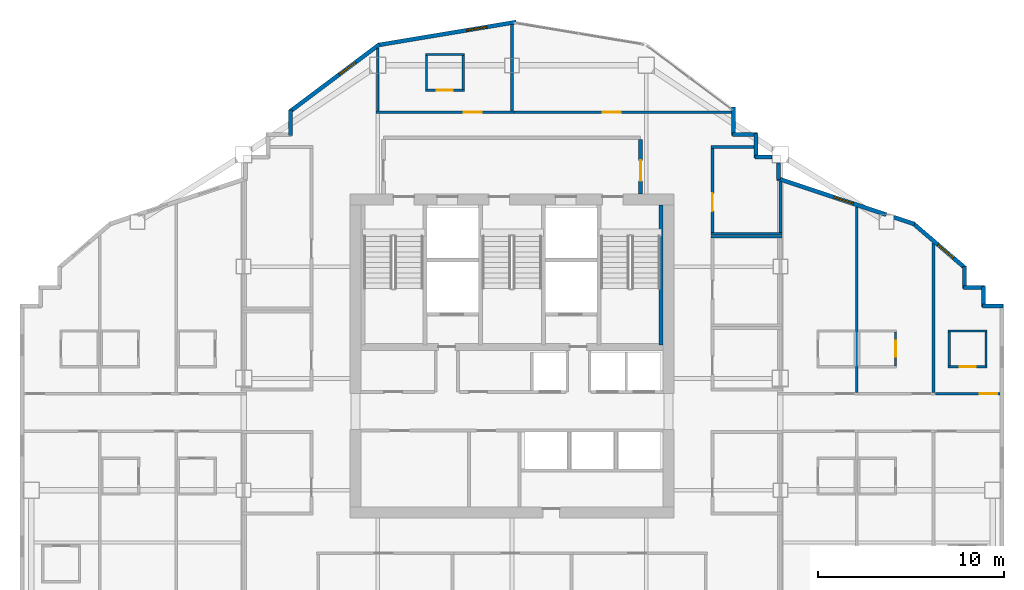
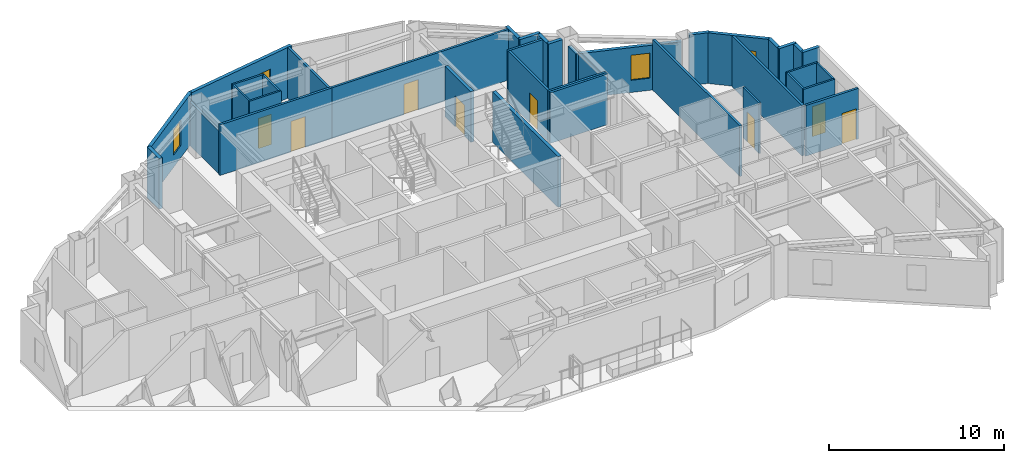
# One storey, part 9 of 11: 38 walls, 8 doors, 4 windows, 12 openings.
"""IFC4 building model written with IfcOpenShell, lengths in metres."""

from ifc_helpers import new_model, si_unit, direction, frame, frame_2d, origin, place, context, subcontext, project, spatial, rectangle, extrude, material, layer, layer_set, type_object, element, fill, save


model = new_model("IFC4")

# Units and contexts
model_context = context("Model", 3, precision=1e-05, world=origin(), true_north=direction((0.0, 1.0)))
body_context = subcontext(model_context, "Body", "Model", "MODEL_VIEW")
ifc_project = project(units=[si_unit("LENGTHUNIT", "METRE"), si_unit("AREAUNIT", "SQUARE_METRE"), si_unit("VOLUMEUNIT", "CUBIC_METRE"), si_unit("PLANEANGLEUNIT", "RADIAN"), si_unit("MASSUNIT", "GRAM", prefix="KILO")], contexts=[model_context])

# Site, building, storey
site_placement = place(None, origin())
site = spatial("IfcSite", under=ifc_project, at=site_placement, CompositionType="ELEMENT")
building_placement = place(site_placement, origin())
building = spatial("IfcBuilding", under=site, at=building_placement, Name="Haolan Belvedere Tower", CompositionType="ELEMENT")
storey_placement = place(building_placement, frame((0.0, 0.0, 226.800048828125)))
storey = spatial("IfcBuildingStorey", under=building, at=storey_placement, Name="L57", CompositionType="ELEMENT", Elevation=226.800048828125)

# Walls
ifc_material_1 = material(Name="Precast concrete C40/50", Category="concrete")
ifc_layer_1 = layer(ifc_material_1, 0.219970703125, Name="Precast concrete C40/50")
ifc_layer_set_1 = layer_set([ifc_layer_1], Name="Precast concrete C40/50")
wall_type_1 = type_object("IfcWallType", Name="WL-EXT-220", PredefinedType="SOLIDWALL", material=ifc_layer_set_1)
wall_1_placement = place(storey_placement, frame((64.7451171875, 37.489990234375, 0.0), z_axis=(0.0, 0.0, 1.0), x_axis=(-1.0, 0.0, 0.0)))
element("IfcWall", 1, at=wall_1_placement, inside=storey, type_object=wall_type_1, Name="L57 pale-metal exterior spandrel wall 9.1", PredefinedType="SOLIDWALL", context=body_context, shape_type="SweptSolid", body=[
    extrude(rectangle(XDim=1.110107421875, YDim=0.219970703125, at=frame_2d((0.55517578125, 0.0))), origin(), (0.0, 0.0, 1.0), 3.5400390625),
])
wall_2_placement = place(storey_placement, frame((63.68994140625, 37.43505859375, 0.0), z_axis=(0.0, 0.0, 1.0), x_axis=(0.0, 1.0, 0.0)))
element("IfcWall", 2, at=wall_2_placement, inside=storey, type_object=wall_type_1, Name="L57 pale-metal exterior spandrel wall 10.1", PredefinedType="SOLIDWALL", context=body_context, shape_type="SweptSolid", body=[
    extrude(rectangle(XDim=1.10986328125, YDim=0.219970703125, at=frame_2d((0.554931640625, 0.0))), origin(), (0.0, 0.0, 1.0), 3.5400390625),
])
wall_3_placement = place(storey_placement, frame((63.7451171875, 38.489990234375, 0.0), z_axis=(0.0, 0.0, 1.0), x_axis=(-1.0, 0.0, 0.0)))
element("IfcWall", 3, at=wall_3_placement, inside=storey, type_object=wall_type_1, Name="L57 pale-metal exterior spandrel wall 11.1", PredefinedType="SOLIDWALL", context=body_context, shape_type="SweptSolid", body=[
    extrude(rectangle(XDim=1.110107421875, YDim=0.219970703125, at=frame_2d((0.55517578125, 0.0))), origin(), (0.0, 0.0, 1.0), 3.5400390625),
])
wall_4_placement = place(storey_placement, frame((62.68994140625, 38.43505859375, 0.0), z_axis=(0.0, 0.0, 1.0), x_axis=(0.0, 1.0, 0.0)))
element("IfcWall", 4, at=wall_4_placement, inside=storey, type_object=wall_type_1, Name="L57 pale-metal exterior spandrel wall 12.1", PredefinedType="SOLIDWALL", context=body_context, shape_type="SweptSolid", body=[
    extrude(rectangle(XDim=1.16943359375, YDim=0.219970703125, at=frame_2d((0.584716796875, 0.0))), origin(), (0.0, 0.0, 1.0), 3.5400390625),
])

# Wall, opening, window
wall_5_placement = place(storey_placement, frame((62.731689453125, 39.513671875, 0.0), z_axis=(0.0, 0.0, 1.0), x_axis=(-0.759251976569, 0.65079677018, 0.0)))
wall_5 = element("IfcWall", 5, at=wall_5_placement, inside=storey, type_object=wall_type_1, Name="L57 pale-metal exterior spandrel wall 13.1", PredefinedType="SOLIDWALL", context=body_context, shape_type="SweptSolid", body=[
    extrude(rectangle(XDim=3.7255859375, YDim=0.219970703125, at=frame_2d((1.86279296875, 0.0))), origin(), (0.0, 0.0, 1.0), 3.5400390625),
])
opening_1_placement = place(wall_5_placement, frame((0.84521484375, 0.0, 0.85009765625)))
opening_1 = element("IfcOpeningElement", 6, at=opening_1_placement, cuts=wall_5, Name="Opening W-03", PredefinedType="OPENING", context=body_context, shape_type="SweptSolid", body=[
    extrude(rectangle(XDim=1.10009765625, YDim=1.75, at=frame_2d((0.550048828125, 0.875))), frame((0.0, 0.119873046875, 0.0), z_axis=(0.0, -1.0, 0.0), x_axis=(1.0, 0.0, 0.0)), (0.0, 0.0, 1.0), 0.239990234375),
])
ifc_material_2 = material(Name="Anodised aluminium 6063-T6 and Low-E glass", Category="aluminium")
window_type = type_object("IfcWindowType", Name="WN-DECO-Z3", PartitioningType="SINGLE_PANEL", PredefinedType="WINDOW", material=ifc_material_2)
window_1_placement = place(opening_1_placement, origin())
window_1 = element("IfcWindow", 7, at=window_1_placement, inside=storey, type_object=window_type, Name="L57 Art Deco chevron window 1", OverallHeight=1.75, OverallWidth=1.10009765625, PartitioningType="SINGLE_PANEL", PredefinedType="WINDOW", context=body_context, shape_type="SweptSolid", body=[
    extrude(rectangle(XDim=1.10009765625, YDim=1.75, at=frame_2d((0.550048828125, 0.875))), frame((0.0, 0.030029296875, 0.0), z_axis=(0.0, -1.0, 0.0), x_axis=(1.0, 0.0, 0.0)), (0.0, 0.0, 1.0), 0.06005859375),
])
fill(opening_1, window_1)

# Wall
wall_6_placement = place(storey_placement, frame((59.9970703125, 41.885009765625, 0.0), z_axis=(0.0, 0.0, 1.0), x_axis=(-0.948662335685, 0.316290646166, 0.0)))
element("IfcWall", 8, at=wall_6_placement, inside=storey, type_object=wall_type_1, Name="L57 pale-metal exterior spandrel wall 14.1", PredefinedType="SOLIDWALL", context=body_context, shape_type="SweptSolid", body=[
    extrude(rectangle(XDim=1.164794921875, YDim=0.219970703125, at=frame_2d((0.58251953125, 0.0))), origin(), (0.0, 0.0, 1.0), 3.5400390625),
])

# Wall, opening, window
wall_7_placement = place(storey_placement, frame((58.476318359375, 42.39208984375, 0.0), z_axis=(0.0, 0.0, 1.0), x_axis=(-0.948691231611, 0.316203964339, 0.0)))
wall_7 = element("IfcWall", 9, at=wall_7_placement, inside=storey, type_object=wall_type_1, Name="L57 pale-metal exterior spandrel wall 14.2", PredefinedType="SOLIDWALL", context=body_context, shape_type="SweptSolid", body=[
    extrude(rectangle(XDim=6.154296875, YDim=0.219970703125, at=frame_2d((3.0771484375, 0.0))), origin(), (0.0, 0.0, 1.0), 3.135009765625),
])
opening_2_placement = place(wall_7_placement, frame((1.862548828125, 0.0, 0.85009765625)))
opening_2 = element("IfcOpeningElement", 10, at=opening_2_placement, cuts=wall_7, Name="Opening W-03", PredefinedType="OPENING", context=body_context, shape_type="SweptSolid", body=[
    extrude(rectangle(XDim=1.10009765625, YDim=1.75, at=frame_2d((0.550048828125, 0.875))), frame((0.0, 0.119873046875, 0.0), z_axis=(0.0, -1.0, 0.0), x_axis=(1.0, 0.0, 0.0)), (0.0, 0.0, 1.0), 0.239990234375),
])
window_2_placement = place(opening_2_placement, origin())
window_2 = element("IfcWindow", 11, at=window_2_placement, inside=storey, type_object=window_type, Name="L57 Art Deco chevron window 1", OverallHeight=1.75, OverallWidth=1.10009765625, PartitioningType="SINGLE_PANEL", PredefinedType="WINDOW", context=body_context, shape_type="SweptSolid", body=[
    extrude(rectangle(XDim=1.10009765625, YDim=1.75, at=frame_2d((0.550048828125, 0.875))), frame((0.0, 0.030029296875, 0.0), z_axis=(0.0, -1.0, 0.0), x_axis=(1.0, 0.0, 0.0)), (0.0, 0.0, 1.0), 0.06005859375),
])
fill(opening_2, window_2)

# Walls
wall_8_placement = place(storey_placement, frame((52.68994140625, 44.265625, 0.0), z_axis=(0.0, 0.0, 1.0), x_axis=(0.0, 1.0, 0.0)))
element("IfcWall", 12, at=wall_8_placement, inside=storey, type_object=wall_type_1, Name="L57 pale-metal exterior spandrel wall 15.1", PredefinedType="SOLIDWALL", context=body_context, shape_type="SweptSolid", body=[
    extrude(rectangle(XDim=0.892333984375, YDim=0.219970703125, at=frame_2d((0.4462890625, 0.0))), origin(), (0.0, 0.0, 1.0), 3.135009765625),
])
wall_9_placement = place(storey_placement, frame((52.35791015625, 45.489990234375, 0.0), z_axis=(0.0, 0.0, 1.0), x_axis=(-1.0, 0.0, 0.0)))
element("IfcWall", 13, at=wall_9_placement, inside=storey, type_object=wall_type_1, Name="L57 pale-metal exterior spandrel wall 16.1", PredefinedType="SOLIDWALL", context=body_context, shape_type="SweptSolid", body=[
    extrude(rectangle(XDim=0.9228515625, YDim=0.219970703125, at=frame_2d((0.46142578125, 0.0))), origin(), (0.0, 0.0, 1.0), 3.5400390625),
])
wall_10_placement = place(storey_placement, frame((51.489990234375, 45.43505859375, 0.0), z_axis=(0.0, 0.0, 1.0), x_axis=(0.0, 1.0, 0.0)))
element("IfcWall", 14, at=wall_10_placement, inside=storey, type_object=wall_type_1, Name="L57 pale-metal exterior spandrel wall 17.1", PredefinedType="SOLIDWALL", context=body_context, shape_type="SweptSolid", body=[
    extrude(rectangle(XDim=1.31005859375, YDim=0.219970703125, at=frame_2d((0.655029296875, 0.0))), origin(), (0.0, 0.0, 1.0), 3.5400390625),
])
wall_11_placement = place(storey_placement, frame((51.544921875, 46.68994140625, 0.0), z_axis=(0.0, 0.0, 1.0), x_axis=(-1.0, 0.0, 0.0)))
element("IfcWall", 15, at=wall_11_placement, inside=storey, type_object=wall_type_1, Name="L57 pale-metal exterior spandrel wall 18.1", PredefinedType="SOLIDWALL", context=body_context, shape_type="SweptSolid", body=[
    extrude(rectangle(XDim=1.309814453125, YDim=0.219970703125, at=frame_2d((0.65478515625, 0.0))), origin(), (0.0, 0.0, 1.0), 3.5400390625),
])
wall_12_placement = place(storey_placement, frame((50.2900390625, 46.635009765625, 0.0), z_axis=(0.0, 0.0, 1.0), x_axis=(0.0, 1.0, 0.0)))
element("IfcWall", 16, at=wall_12_placement, inside=storey, type_object=wall_type_1, Name="L57 pale-metal exterior spandrel wall 19.1", PredefinedType="SOLIDWALL", context=body_context, shape_type="SweptSolid", body=[
    extrude(rectangle(XDim=1.534912109375, YDim=0.219970703125, at=frame_2d((0.767578125, 0.0))), origin(), (0.0, 0.0, 1.0), 3.5400390625),
])

# Wall, opening, window
wall_13_placement = place(storey_placement, frame((38.621826171875, 52.7255859375, 0.0), z_axis=(0.0, 0.0, 1.0), x_axis=(-0.986390420428, -0.164420006349, 0.0)))
wall_13 = element("IfcWall", 17, at=wall_13_placement, inside=storey, type_object=wall_type_1, Name="L57 pale-metal exterior spandrel wall 22.1", PredefinedType="SOLIDWALL", context=body_context, shape_type="SweptSolid", body=[
    extrude(rectangle(XDim=7.5341796875, YDim=0.219970703125, at=frame_2d((3.76708984375, 0.0))), origin(), (0.0, 0.0, 1.0), 3.5400390625),
])
opening_3_placement = place(wall_13_placement, frame((1.60009765625, 0.0, 0.85009765625)))
opening_3 = element("IfcOpeningElement", 18, at=opening_3_placement, cuts=wall_13, Name="Opening W-03", PredefinedType="OPENING", context=body_context, shape_type="SweptSolid", body=[
    extrude(rectangle(XDim=1.10009765625, YDim=1.75, at=frame_2d((0.550048828125, 0.875))), frame((0.0, 0.119873046875, 0.0), z_axis=(0.0, -1.0, 0.0), x_axis=(1.0, 0.0, 0.0)), (0.0, 0.0, 1.0), 0.239990234375),
])
window_3_placement = place(opening_3_placement, origin())
window_3 = element("IfcWindow", 19, at=window_3_placement, inside=storey, type_object=window_type, Name="L57 Art Deco chevron window 1", OverallHeight=1.75, OverallWidth=1.10009765625, PartitioningType="SINGLE_PANEL", PredefinedType="WINDOW", context=body_context, shape_type="SweptSolid", body=[
    extrude(rectangle(XDim=1.10009765625, YDim=1.75, at=frame_2d((0.550048828125, 0.875))), frame((0.0, 0.030029296875, 0.0), z_axis=(0.0, -1.0, 0.0), x_axis=(1.0, 0.0, 0.0)), (0.0, 0.0, 1.0), 0.06005859375),
])
fill(opening_3, window_3)

wall_14_placement = place(storey_placement, frame((31.28857421875, 51.52880859375, 0.0), z_axis=(0.0, 0.0, 1.0), x_axis=(-0.800014580093, -0.599980559383, 0.0)))
wall_14 = element("IfcWall", 20, at=wall_14_placement, inside=storey, type_object=wall_type_1, Name="L57 pale-metal exterior spandrel wall 23.1", PredefinedType="SOLIDWALL", context=body_context, shape_type="SweptSolid", body=[
    extrude(rectangle(XDim=6.028076171875, YDim=0.219970703125, at=frame_2d((3.01416015625, 0.0))), origin(), (0.0, 0.0, 1.0), 3.5400390625),
])
opening_4_placement = place(wall_14_placement, frame((1.60009765625, 0.0, 0.85009765625)))
opening_4 = element("IfcOpeningElement", 21, at=opening_4_placement, cuts=wall_14, Name="Opening W-03", PredefinedType="OPENING", context=body_context, shape_type="SweptSolid", body=[
    extrude(rectangle(XDim=1.10009765625, YDim=1.75, at=frame_2d((0.550048828125, 0.875))), frame((0.0, 0.119873046875, 0.0), z_axis=(0.0, -1.0, 0.0), x_axis=(1.0, 0.0, 0.0)), (0.0, 0.0, 1.0), 0.239990234375),
])
window_4_placement = place(opening_4_placement, origin())
window_4 = element("IfcWindow", 22, at=window_4_placement, inside=storey, type_object=window_type, Name="L57 Art Deco chevron window 1", OverallHeight=1.75, OverallWidth=1.10009765625, PartitioningType="SINGLE_PANEL", PredefinedType="WINDOW", context=body_context, shape_type="SweptSolid", body=[
    extrude(rectangle(XDim=1.10009765625, YDim=1.75, at=frame_2d((0.550048828125, 0.875))), frame((0.0, 0.030029296875, 0.0), z_axis=(0.0, -1.0, 0.0), x_axis=(1.0, 0.0, 0.0)), (0.0, 0.0, 1.0), 0.06005859375),
])
fill(opening_4, window_4)

# Wall
wall_15_placement = place(storey_placement, frame((26.510009765625, 48.0, 0.0), z_axis=(0.0, 0.0, 1.0), x_axis=(0.0, -1.0, 0.0)))
element("IfcWall", 23, at=wall_15_placement, inside=storey, type_object=wall_type_1, Name="L57 pale-metal exterior spandrel wall 24.1", PredefinedType="SOLIDWALL", context=body_context, shape_type="SweptSolid", body=[
    extrude(rectangle(XDim=1.364990234375, YDim=0.219970703125, at=frame_2d((0.6826171875, 0.0))), origin(), (0.0, 0.0, 1.0), 3.5400390625),
])

# Wall, opening, door
ifc_material_3 = material(Name="Concrete C40/50", Category="concrete")
ifc_layer_2 = layer(ifc_material_3, 0.199951171875, Name="Concrete C40/50")
ifc_layer_set_2 = layer_set([ifc_layer_2], Name="Concrete C40/50")
wall_type_2 = type_object("IfcWallType", Name="WL-FIRE-200", PredefinedType="SOLIDWALL", material=ifc_layer_set_2)
wall_16_placement = place(storey_placement, frame((45.300048828125, 43.5, 0.0), z_axis=(0.0, 0.0, 1.0), x_axis=(0.0, 1.0, 0.0)))
wall_16 = element("IfcWall", 24, at=wall_16_placement, inside=storey, type_object=wall_type_2, Name="L57 interior partition IW-L57-FFL-E", PredefinedType="SOLIDWALL", context=body_context, shape_type="SweptSolid", body=[
    extrude(rectangle(XDim=2.93505859375, YDim=0.199951171875, at=frame_2d((1.467529296875, 0.0))), origin(), (0.0, 0.0, 1.0), 3.5400390625),
])
opening_5_placement = place(wall_16_placement, frame((0.699951171875, 0.0, 0.0)))
opening_5 = element("IfcOpeningElement", 25, at=opening_5_placement, cuts=wall_16, Name="Opening FD-03", PredefinedType="OPENING", context=body_context, shape_type="SweptSolid", body=[
    extrude(rectangle(XDim=1.10009765625, YDim=2.14990234375, at=frame_2d((0.550048828125, 1.074951171875))), frame((0.0, 0.10986328125, 0.0), z_axis=(0.0, -1.0, 0.0), x_axis=(1.0, 0.0, 0.0)), (0.0, 0.0, 1.0), 0.219970703125),
])
ifc_material_4 = material(Name="Galvanised fire-rated steel", Category="steel")
door_type_1 = type_object("IfcDoorType", Name="DR-FD90-1100", OperationType="NOTDEFINED", PredefinedType="DOOR", material=ifc_material_4)
door_1_placement = place(opening_5_placement, origin())
door_1 = element("IfcDoor", 26, at=door_1_placement, inside=storey, type_object=door_type_1, Name="L57 door ID-L57-FFL-DE", OperationType="SINGLE_SWING_RIGHT", OverallHeight=2.14990234375, OverallWidth=1.10009765625, PredefinedType="DOOR", context=body_context, shape_type="SweptSolid", body=[
    extrude(rectangle(XDim=1.10009765625, YDim=2.14990234375, at=frame_2d((0.550048828125, 1.074951171875))), frame((0.0, 0.02490234375, 0.0), z_axis=(0.0, -1.0, 0.0), x_axis=(1.0, 0.0, 0.0)), (0.0, 0.0, 1.0), 0.050048828125),
])
fill(opening_5, door_1)

# Walls
ifc_material_5 = material(Name="Double gypsum acoustic stud partition", Category="masonry")
ifc_layer_3 = layer(ifc_material_5, 0.14990234375, Name="Double gypsum acoustic stud partition")
ifc_layer_set_3 = layer_set([ifc_layer_3], Name="Double gypsum acoustic stud partition")
wall_type_3 = type_object("IfcWallType", Name="WL-PART-150", PredefinedType="PARTITIONING", material=ifc_layer_set_3)
wall_17_placement = place(storey_placement, frame((49.080078125, 41.199951171875, 0.0), z_axis=(0.0, 0.0, 1.0), x_axis=(1.0, 0.0, 0.0)))
element("IfcWall", 27, at=wall_17_placement, inside=storey, type_object=wall_type_3, Name="L57 interior partition IW-L57-STY-N", PredefinedType="PARTITIONING", context=body_context, shape_type="SweptSolid", body=[
    extrude(rectangle(XDim=3.7998046875, YDim=0.14990234375, at=frame_2d((1.89990234375, 0.0))), origin(), (0.0, 0.0, 1.0), 3.5400390625),
])
wall_18_placement = place(storey_placement, frame((49.080078125, 46.02001953125, 0.0), z_axis=(0.0, 0.0, 1.0), x_axis=(1.0, 0.0, 0.0)))
element("IfcWall", 28, at=wall_18_placement, inside=storey, type_object=wall_type_3, Name="L57 interior partition IW-L57-PNT-N", PredefinedType="PARTITIONING", context=body_context, shape_type="SweptSolid", body=[
    extrude(rectangle(XDim=2.307861328125, YDim=0.14990234375, at=frame_2d((1.15380859375, 0.0))), origin(), (0.0, 0.0, 1.0), 3.5400390625),
])
wall_19_placement = place(storey_placement, frame((49.080078125, 41.360107421875, 0.0), z_axis=(0.0, 0.0, 1.0), x_axis=(1.0, 0.0, 0.0)))
element("IfcWall", 29, at=wall_19_placement, inside=storey, type_object=wall_type_3, Name="L57 interior partition IW-L57-PNT-S", PredefinedType="PARTITIONING", context=body_context, shape_type="SweptSolid", body=[
    extrude(rectangle(XDim=3.7998046875, YDim=0.14990234375, at=frame_2d((1.89990234375, 0.0))), origin(), (0.0, 0.0, 1.0), 3.5400390625),
])

# Wall, opening, door
wall_20_placement = place(storey_placement, frame((49.159912109375, 41.419921875, 0.0), z_axis=(0.0, 0.0, 1.0), x_axis=(0.0, 1.0, 0.0)))
wall_20 = element("IfcWall", 30, at=wall_20_placement, inside=storey, type_object=wall_type_3, Name="L57 interior partition IW-L57-PNT-W", PredefinedType="PARTITIONING", context=body_context, shape_type="SweptSolid", body=[
    extrude(rectangle(XDim=4.5400390625, YDim=0.14990234375, at=frame_2d((2.27001953125, 0.0))), origin(), (0.0, 0.0, 1.0), 3.5400390625),
])
opening_6_placement = place(wall_20_placement, frame((1.159912109375, 0.0, 0.0)))
opening_6 = element("IfcOpeningElement", 31, at=opening_6_placement, cuts=wall_20, Name="Opening ID-03", PredefinedType="OPENING", context=body_context, shape_type="SweptSolid", body=[
    extrude(rectangle(XDim=0.949951171875, YDim=2.1201171875, at=frame_2d((0.47509765625, 1.06005859375))), frame((0.0, 0.0849609375, 0.0), z_axis=(0.0, -1.0, 0.0), x_axis=(1.0, 0.0, 0.0)), (0.0, 0.0, 1.0), 0.169921875),
])
ifc_material_6 = material(Name="Painted solid-core timber", Category="wood")
door_type_2 = type_object("IfcDoorType", Name="DR-INT-950", OperationType="NOTDEFINED", PredefinedType="DOOR", material=ifc_material_6)
door_2_placement = place(opening_6_placement, origin())
door_2 = element("IfcDoor", 32, at=door_2_placement, inside=storey, type_object=door_type_2, Name="L57 door ID-L57-PNT", OperationType="SINGLE_SWING_LEFT", OverallHeight=2.1201171875, OverallWidth=0.949951171875, PredefinedType="DOOR", context=body_context, shape_type="SweptSolid", body=[
    extrude(rectangle(XDim=0.949951171875, YDim=2.1201171875, at=frame_2d((0.47509765625, 1.06005859375))), frame((0.0, 0.02490234375, 0.0), z_axis=(0.0, -1.0, 0.0), x_axis=(1.0, 0.0, 0.0)), (0.0, 0.0, 1.0), 0.050048828125),
])
fill(opening_6, door_2)

# Wall
wall_21_placement = place(storey_placement, frame((52.800048828125, 41.419921875, 0.0), z_axis=(0.0, 0.0, 1.0), x_axis=(0.0, 1.0, 0.0)))
element("IfcWall", 33, at=wall_21_placement, inside=storey, type_object=wall_type_3, Name="L57 interior partition IW-L57-PNT-E", PredefinedType="PARTITIONING", context=body_context, shape_type="SweptSolid", body=[
    extrude(rectangle(XDim=2.756591796875, YDim=0.14990234375, at=frame_2d((1.37841796875, 0.0))), origin(), (0.0, 0.0, 1.0), 3.135009765625),
])

# Wall, opening, door
wall_22_placement = place(storey_placement, frame((31.10009765625, 47.8798828125, 0.0), z_axis=(0.0, 0.0, 1.0), x_axis=(1.0, 0.0, 0.0)))
wall_22 = element("IfcWall", 34, at=wall_22_placement, inside=storey, type_object=wall_type_3, Name="L57 interior partition IW-L57-KN2-S", PredefinedType="PARTITIONING", context=body_context, shape_type="SweptSolid", body=[
    extrude(rectangle(XDim=7.39990234375, YDim=0.14990234375, at=frame_2d((3.699951171875, 0.0))), origin(), (0.0, 0.0, 1.0), 3.5400390625),
])
opening_7_placement = place(wall_22_placement, frame((4.713623046875, 0.0, 0.0)))
opening_7 = element("IfcOpeningElement", 35, at=opening_7_placement, cuts=wall_22, Name="Opening ID-02", PredefinedType="OPENING", context=body_context, shape_type="SweptSolid", body=[
    extrude(rectangle(XDim=0.949951171875, YDim=2.14990234375, at=frame_2d((0.47509765625, 1.074951171875))), frame((0.0, 0.0849609375, 0.0), z_axis=(0.0, -1.0, 0.0), x_axis=(1.0, 0.0, 0.0)), (0.0, 0.0, 1.0), 0.169921875),
])
ifc_material_7 = material(Name="Acoustic oak veneer fire-rated timber", Category="wood")
door_type_3 = type_object("IfcDoorType", Name="DR-GUEST-950", OperationType="NOTDEFINED", PredefinedType="DOOR", material=ifc_material_7)
door_3_placement = place(opening_7_placement, origin())
door_3 = element("IfcDoor", 36, at=door_3_placement, inside=storey, type_object=door_type_3, Name="L57 door ID-L57-KN2-ENT", OperationType="SINGLE_SWING_LEFT", OverallHeight=2.14990234375, OverallWidth=0.949951171875, PredefinedType="DOOR", context=body_context, shape_type="SweptSolid", body=[
    extrude(rectangle(XDim=0.949951171875, YDim=2.14990234375, at=frame_2d((0.47509765625, 1.074951171875))), frame((0.0, 0.02490234375, 0.0), z_axis=(0.0, -1.0, 0.0), x_axis=(1.0, 0.0, 0.0)), (0.0, 0.0, 1.0), 0.050048828125),
])
fill(opening_7, door_3)

# Walls
wall_23_placement = place(storey_placement, frame((31.199951171875, 47.93994140625, 0.0), z_axis=(0.0, 0.0, 1.0), x_axis=(0.0, 1.0, 0.0)))
element("IfcWall", 37, at=wall_23_placement, inside=storey, type_object=wall_type_3, Name="L57 interior partition IW-L57-KN2-W", PredefinedType="PARTITIONING", context=body_context, shape_type="SweptSolid", body=[
    extrude(rectangle(XDim=3.39501953125, YDim=0.14990234375, at=frame_2d((1.697509765625, 0.0))), origin(), (0.0, 0.0, 1.0), 3.02490234375),
])
wall_24_placement = place(storey_placement, frame((38.39990234375, 47.93994140625, 0.0), z_axis=(0.0, 0.0, 1.0), x_axis=(0.0, 1.0, 0.0)))
element("IfcWall", 38, at=wall_24_placement, inside=storey, type_object=wall_type_3, Name="L57 interior partition IW-L57-KN2-E", PredefinedType="PARTITIONING", context=body_context, shape_type="SweptSolid", body=[
    extrude(rectangle(XDim=4.645263671875, YDim=0.14990234375, at=frame_2d((2.32275390625, 0.0))), origin(), (0.0, 0.0, 1.0), 3.5400390625),
])

# Wall, opening, door
wall_25_placement = place(storey_placement, frame((38.501953125, 47.8798828125, 0.0), z_axis=(0.0, 0.0, 1.0), x_axis=(1.0, 0.0, 0.0)))
wall_25 = element("IfcWall", 39, at=wall_25_placement, inside=storey, type_object=wall_type_3, Name="L57 interior partition IW-L57-KN3-S", PredefinedType="PARTITIONING", context=body_context, shape_type="SweptSolid", body=[
    extrude(rectangle(XDim=11.68603515625, YDim=0.14990234375, at=frame_2d((5.843017578125, 0.0))), origin(), (0.0, 0.0, 1.0), 3.5400390625),
])
opening_8_placement = place(wall_25_placement, frame((4.77294921875, 0.0, 0.0)))
opening_8 = element("IfcOpeningElement", 40, at=opening_8_placement, cuts=wall_25, Name="Opening ID-03", PredefinedType="OPENING", context=body_context, shape_type="SweptSolid", body=[
    extrude(rectangle(XDim=0.949951171875, YDim=2.1201171875, at=frame_2d((0.47509765625, 1.06005859375))), frame((0.0, 0.0849609375, 0.0), z_axis=(0.0, -1.0, 0.0), x_axis=(1.0, 0.0, 0.0)), (0.0, 0.0, 1.0), 0.169921875),
])
door_4_placement = place(opening_8_placement, origin())
door_4 = element("IfcDoor", 41, at=door_4_placement, inside=storey, type_object=door_type_2, Name="L57 door ID-L57-KN3", OperationType="SINGLE_SWING_RIGHT", OverallHeight=2.1201171875, OverallWidth=0.949951171875, PredefinedType="DOOR", context=body_context, shape_type="SweptSolid", body=[
    extrude(rectangle(XDim=0.949951171875, YDim=2.1201171875, at=frame_2d((0.47509765625, 1.06005859375))), frame((0.0, 0.02490234375, 0.0), z_axis=(0.0, -1.0, 0.0), x_axis=(1.0, 0.0, 0.0)), (0.0, 0.0, 1.0), 0.050048828125),
])
fill(opening_8, door_4)

# Walls
wall_26_placement = place(storey_placement, frame((56.89990234375, 32.840087890625, 0.0), z_axis=(0.0, 0.0, 1.0), x_axis=(0.0, 1.0, 0.0)))
element("IfcWall", 42, at=wall_26_placement, inside=storey, type_object=wall_type_3, Name="L57 interior partition IW-L57-T4N1-E", PredefinedType="PARTITIONING", context=body_context, shape_type="SweptSolid", body=[
    extrude(rectangle(XDim=9.9697265625, YDim=0.14990234375, at=frame_2d((4.98486328125, 0.0))), origin(), (0.0, 0.0, 1.0), 3.5400390625),
])
wall_27_placement = place(storey_placement, frame((61.010009765625, 32.840087890625, 0.0), z_axis=(0.0, 0.0, 1.0), x_axis=(0.0, 1.0, 0.0)))
element("IfcWall", 43, at=wall_27_placement, inside=storey, type_object=wall_type_3, Name="L57 interior partition IW-L57-T4N2-E", PredefinedType="PARTITIONING", context=body_context, shape_type="SweptSolid", body=[
    extrude(rectangle(XDim=8.014892578125, YDim=0.14990234375, at=frame_2d((4.00732421875, 0.0))), origin(), (0.0, 0.0, 1.0), 3.5400390625),
])

# Wall, opening, door
wall_28_placement = place(storey_placement, frame((61.112060546875, 32.780029296875, 0.0), z_axis=(0.0, 0.0, 1.0), x_axis=(1.0, 0.0, 0.0)))
wall_28 = element("IfcWall", 44, at=wall_28_placement, inside=storey, type_object=wall_type_3, Name="L57 interior partition IW-L57-T4N3-S", PredefinedType="PARTITIONING", context=body_context, shape_type="SweptSolid", body=[
    extrude(rectangle(XDim=3.475830078125, YDim=0.14990234375, at=frame_2d((1.73779296875, 0.0))), origin(), (0.0, 0.0, 1.0), 3.5400390625),
])
opening_9_placement = place(wall_28_placement, frame((2.385986328125, 0.0, 0.0)))
opening_9 = element("IfcOpeningElement", 45, at=opening_9_placement, cuts=wall_28, Name="Opening ID-02", PredefinedType="OPENING", context=body_context, shape_type="SweptSolid", body=[
    extrude(rectangle(XDim=0.949951171875, YDim=2.14990234375, at=frame_2d((0.47509765625, 1.074951171875))), frame((0.0, 0.0849609375, 0.0), z_axis=(0.0, -1.0, 0.0), x_axis=(1.0, 0.0, 0.0)), (0.0, 0.0, 1.0), 0.169921875),
])
door_5_placement = place(opening_9_placement, origin())
door_5 = element("IfcDoor", 46, at=door_5_placement, inside=storey, type_object=door_type_3, Name="L57 door ID-L57-T4N3-ENT", OperationType="SINGLE_SWING_LEFT", OverallHeight=2.14990234375, OverallWidth=0.949951171875, PredefinedType="DOOR", context=body_context, shape_type="SweptSolid", body=[
    extrude(rectangle(XDim=0.949951171875, YDim=2.14990234375, at=frame_2d((0.47509765625, 1.074951171875))), frame((0.0, 0.02490234375, 0.0), z_axis=(0.0, -1.0, 0.0), x_axis=(1.0, 0.0, 0.0)), (0.0, 0.0, 1.0), 0.050048828125),
])
fill(opening_9, door_5)

# Walls
ifc_material_8 = material(Name="Concrete C50/60", Category="concrete")
ifc_layer_4 = layer(ifc_material_8, 0.219970703125, Name="Concrete C50/60")
ifc_layer_set_4 = layer_set([ifc_layer_4], Name="Concrete C50/60")
wall_type_4 = type_object("IfcWallType", Name="WL-STAIR-220", PredefinedType="SHEAR", material=ifc_layer_set_4)
wall_29_placement = place(storey_placement, frame((46.387939453125, 35.389892578125, 0.0), z_axis=(0.0, 0.0, 1.0), x_axis=(0.0, 1.0, 0.0)))
element("IfcWall", 47, at=wall_29_placement, inside=storey, type_object=wall_type_4, Name="L57 structural stair core wall ST2E", PredefinedType="SHEAR", context=body_context, shape_type="SweptSolid", body=[
    extrude(rectangle(XDim=7.510009765625, YDim=0.219970703125, at=frame_2d((3.7548828125, 0.0))), origin(), (0.0, 0.0, 1.0), 3.5400390625),
])
ifc_material_9 = material(Name="Moisture-resistant gypsum tile partition", Category="masonry")
ifc_layer_5 = layer(ifc_material_9, 0.1201171875, Name="Moisture-resistant gypsum tile partition")
ifc_layer_set_5 = layer_set([ifc_layer_5], Name="Moisture-resistant gypsum tile partition")
wall_type_5 = type_object("IfcWallType", Name="WL-WET-120", PredefinedType="PARTITIONING", material=ifc_layer_set_5)
wall_30_placement = place(storey_placement, frame((33.75, 50.97998046875, 0.0), z_axis=(0.0, 0.0, 1.0), x_axis=(1.0, 0.0, 0.0)))
element("IfcWall", 48, at=wall_30_placement, inside=storey, type_object=wall_type_5, Name="L57 interior partition IW-L57-KN2-BN", PredefinedType="PARTITIONING", context=body_context, shape_type="SweptSolid", body=[
    extrude(rectangle(XDim=2.10009765625, YDim=0.1201171875, at=frame_2d((1.050048828125, 0.0))), origin(), (0.0, 0.0, 1.0), 3.5400390625),
])

# Wall, opening, door
wall_31_placement = place(storey_placement, frame((33.75, 49.06005859375, 0.0), z_axis=(0.0, 0.0, 1.0), x_axis=(1.0, 0.0, 0.0)))
wall_31 = element("IfcWall", 49, at=wall_31_placement, inside=storey, type_object=wall_type_5, Name="L57 interior partition IW-L57-KN2-BS", PredefinedType="PARTITIONING", context=body_context, shape_type="SweptSolid", body=[
    extrude(rectangle(XDim=2.10009765625, YDim=0.1201171875, at=frame_2d((1.050048828125, 0.0))), origin(), (0.0, 0.0, 1.0), 3.5400390625),
])
opening_10_placement = place(wall_31_placement, frame((0.625, 0.0, 0.0)))
opening_10 = element("IfcOpeningElement", 50, at=opening_10_placement, cuts=wall_31, Name="Opening ID-05", PredefinedType="OPENING", context=body_context, shape_type="SweptSolid", body=[
    extrude(rectangle(XDim=0.85009765625, YDim=2.10009765625, at=frame_2d((0.425048828125, 1.050048828125))), frame((0.0, 0.070068359375, 0.0), z_axis=(0.0, -1.0, 0.0), x_axis=(1.0, 0.0, 0.0)), (0.0, 0.0, 1.0), 0.14013671875),
])
ifc_material_10 = material(Name="Moisture-resistant lacquered timber", Category="wood")
door_type_4 = type_object("IfcDoorType", Name="DR-BATH-850", OperationType="NOTDEFINED", PredefinedType="DOOR", material=ifc_material_10)
door_6_placement = place(opening_10_placement, origin())
door_6 = element("IfcDoor", 51, at=door_6_placement, inside=storey, type_object=door_type_4, Name="L57 door ID-L57-KN2-BATH", OperationType="SINGLE_SWING_RIGHT", OverallHeight=2.10009765625, OverallWidth=0.85009765625, PredefinedType="DOOR", context=body_context, shape_type="SweptSolid", body=[
    extrude(rectangle(XDim=0.85009765625, YDim=2.10009765625, at=frame_2d((0.425048828125, 1.050048828125))), frame((0.0, 0.02490234375, 0.0), z_axis=(0.0, -1.0, 0.0), x_axis=(1.0, 0.0, 0.0)), (0.0, 0.0, 1.0), 0.050048828125),
])
fill(opening_10, door_6)

# Walls
for number, where, z_axis, x_axis, name in (
    (52, (33.81005859375, 49.10498046875, 0.0), (0.0, 0.0, 1.0), (0.0, 1.0, 0.0), "L57 interior partition IW-L57-KN2-BW"),
    (53, (35.7900390625, 49.10498046875, 0.0), (0.0, 0.0, 1.0), (0.0, 1.0, 0.0), "L57 interior partition IW-L57-KN2-BE"),
):
    element("IfcWall", number, at=place(storey_placement, frame(where, z_axis=z_axis, x_axis=x_axis)), inside=storey, type_object=wall_type_5, Name=name, PredefinedType="PARTITIONING", context=body_context, shape_type="SweptSolid", body=[
        extrude(rectangle(XDim=1.830078125, YDim=0.1201171875, at=frame_2d((0.9150390625, 0.0))), origin(), (0.0, 0.0, 1.0), 3.5400390625),
    ])

# Wall, opening, door
wall_32_placement = place(storey_placement, frame((58.97998046875, 34.27490234375, 0.0), z_axis=(0.0, 0.0, 1.0), x_axis=(0.0, 1.0, 0.0)))
wall_32 = element("IfcWall", 54, at=wall_32_placement, inside=storey, type_object=wall_type_5, Name="L57 interior partition IW-L57-T4N2-BE", PredefinedType="PARTITIONING", context=body_context, shape_type="SweptSolid", body=[
    extrude(rectangle(XDim=1.830078125, YDim=0.1201171875, at=frame_2d((0.9150390625, 0.0))), origin(), (0.0, 0.0, 1.0), 3.5400390625),
])
opening_11_placement = place(wall_32_placement, frame((0.489990234375, 0.0, 0.0)))
opening_11 = element("IfcOpeningElement", 55, at=opening_11_placement, cuts=wall_32, Name="Opening ID-05", PredefinedType="OPENING", context=body_context, shape_type="SweptSolid", body=[
    extrude(rectangle(XDim=0.85009765625, YDim=2.10009765625, at=frame_2d((0.425048828125, 1.050048828125))), frame((0.0, 0.070068359375, 0.0), z_axis=(0.0, -1.0, 0.0), x_axis=(1.0, 0.0, 0.0)), (0.0, 0.0, 1.0), 0.14013671875),
])
door_7_placement = place(opening_11_placement, origin())
door_7 = element("IfcDoor", 56, at=door_7_placement, inside=storey, type_object=door_type_4, Name="L57 door ID-L57-T4N2-BATH", OperationType="SINGLE_SWING_LEFT", OverallHeight=2.10009765625, OverallWidth=0.85009765625, PredefinedType="DOOR", context=body_context, shape_type="SweptSolid", body=[
    extrude(rectangle(XDim=0.85009765625, YDim=2.10009765625, at=frame_2d((0.425048828125, 1.050048828125))), frame((0.0, 0.02490234375, 0.0), z_axis=(0.0, -1.0, 0.0), x_axis=(1.0, 0.0, 0.0)), (0.0, 0.0, 1.0), 0.050048828125),
])
fill(opening_11, door_7)

# Wall
wall_33_placement = place(storey_placement, frame((61.797119140625, 36.14990234375, 0.0), z_axis=(0.0, 0.0, 1.0), x_axis=(1.0, 0.0, 0.0)))
element("IfcWall", 57, at=wall_33_placement, inside=storey, type_object=wall_type_5, Name="L57 interior partition IW-L57-T4N3-BN", PredefinedType="PARTITIONING", context=body_context, shape_type="SweptSolid", body=[
    extrude(rectangle(XDim=2.099853515625, YDim=0.1201171875, at=frame_2d((1.0498046875, 0.0))), origin(), (0.0, 0.0, 1.0), 3.5400390625),
])

# Wall, opening, door
wall_34_placement = place(storey_placement, frame((61.797119140625, 34.22998046875, 0.0), z_axis=(0.0, 0.0, 1.0), x_axis=(1.0, 0.0, 0.0)))
wall_34 = element("IfcWall", 58, at=wall_34_placement, inside=storey, type_object=wall_type_5, Name="L57 interior partition IW-L57-T4N3-BS", PredefinedType="PARTITIONING", context=body_context, shape_type="SweptSolid", body=[
    extrude(rectangle(XDim=2.099853515625, YDim=0.1201171875, at=frame_2d((1.0498046875, 0.0))), origin(), (0.0, 0.0, 1.0), 3.5400390625),
])
opening_12_placement = place(wall_34_placement, frame((0.625, 0.0, 0.0)))
opening_12 = element("IfcOpeningElement", 59, at=opening_12_placement, cuts=wall_34, Name="Opening ID-05", PredefinedType="OPENING", context=body_context, shape_type="SweptSolid", body=[
    extrude(rectangle(XDim=0.85009765625, YDim=2.10009765625, at=frame_2d((0.425048828125, 1.050048828125))), frame((0.0, 0.070068359375, 0.0), z_axis=(0.0, -1.0, 0.0), x_axis=(1.0, 0.0, 0.0)), (0.0, 0.0, 1.0), 0.14013671875),
])
door_8_placement = place(opening_12_placement, origin())
door_8 = element("IfcDoor", 60, at=door_8_placement, inside=storey, type_object=door_type_4, Name="L57 door ID-L57-T4N3-BATH", OperationType="SINGLE_SWING_RIGHT", OverallHeight=2.10009765625, OverallWidth=0.85009765625, PredefinedType="DOOR", context=body_context, shape_type="SweptSolid", body=[
    extrude(rectangle(XDim=0.85009765625, YDim=2.10009765625, at=frame_2d((0.425048828125, 1.050048828125))), frame((0.0, 0.02490234375, 0.0), z_axis=(0.0, -1.0, 0.0), x_axis=(1.0, 0.0, 0.0)), (0.0, 0.0, 1.0), 0.050048828125),
])
fill(opening_12, door_8)

# Walls
for number, where, z_axis, x_axis, name in (
    (61, (61.85693359375, 34.27490234375, 0.0), (0.0, 0.0, 1.0), (0.0, 1.0, 0.0), "L57 interior partition IW-L57-T4N3-BW"),
    (62, (63.8369140625, 34.27490234375, 0.0), (0.0, 0.0, 1.0), (0.0, 1.0, 0.0), "L57 interior partition IW-L57-T4N3-BE"),
):
    element("IfcWall", number, at=place(storey_placement, frame(where, z_axis=z_axis, x_axis=x_axis)), inside=storey, type_object=wall_type_5, Name=name, PredefinedType="PARTITIONING", context=body_context, shape_type="SweptSolid", body=[
        extrude(rectangle(XDim=1.830078125, YDim=0.1201171875, at=frame_2d((0.9150390625, 0.0))), origin(), (0.0, 0.0, 1.0), 3.5400390625),
    ])

save(model, "model.ifc")
